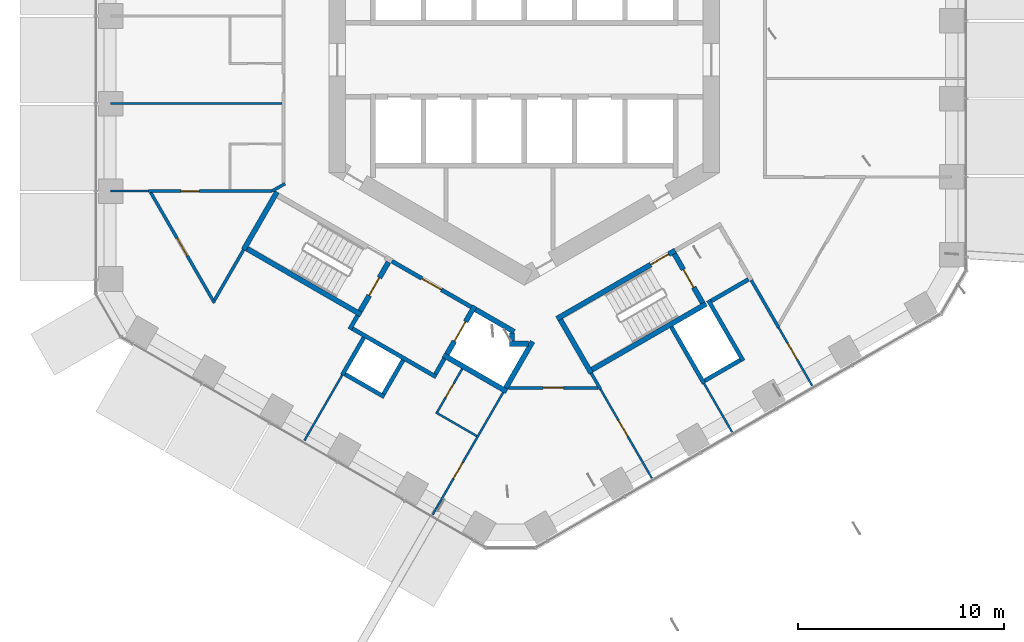
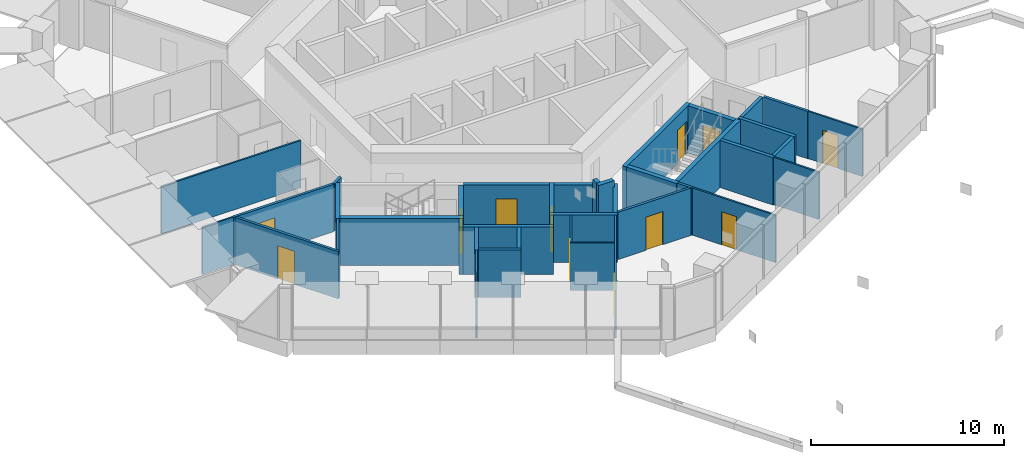
# One storey, part 12 of 22: 40 walls, 12 doors, 12 openings.
"""IFC4 building model written with IfcOpenShell, lengths in metres."""

from ifc_helpers import new_model, si_unit, direction, frame, frame_2d, origin, place, context, subcontext, project, spatial, rectangle, extrude, material, layer, layer_set, type_object, element, fill, save


model = new_model("IFC4")

# Units and contexts
model_context = context("Model", 3, precision=1e-05, world=origin(), true_north=direction((0.0, 1.0)))
body_context = subcontext(model_context, "Body", "Model", "MODEL_VIEW")
ifc_project = project(units=[si_unit("LENGTHUNIT", "METRE"), si_unit("AREAUNIT", "SQUARE_METRE"), si_unit("VOLUMEUNIT", "CUBIC_METRE"), si_unit("PLANEANGLEUNIT", "RADIAN"), si_unit("MASSUNIT", "GRAM", prefix="KILO")], contexts=[model_context])

# Site, building, storey
site_placement = place(None, origin())
site = spatial("IfcSite", under=ifc_project, at=site_placement, CompositionType="ELEMENT")
building_placement = place(site_placement, origin())
building = spatial("IfcBuilding", under=site, at=building_placement, Name="Ayvan Gate Tower", CompositionType="ELEMENT")
storey_placement = place(building_placement, frame((0.0, 0.0, 62.89990234375)))
storey = spatial("IfcBuildingStorey", under=building, at=storey_placement, Name="L16", CompositionType="ELEMENT", Elevation=62.89990234375)

# Wall, opening, door
ifc_material_1 = material(Name="Plasterboard on steel stud", Category="steel")
ifc_layer_1 = layer(ifc_material_1, 0.14990234375)
ifc_layer_set_1 = layer_set([ifc_layer_1], Name="Plasterboard on steel stud")
wall_type_1 = type_object("IfcWallType", Name="WT-CORR-150", PredefinedType="PARTITIONING", material=ifc_layer_set_1)
wall_1_placement = place(storey_placement, frame((-18.279541015625, -6.386962890625, 0.0), z_axis=(0.0, 0.0, 1.0), x_axis=(1.0, 0.0, 0.0)))
wall_1 = element("IfcWall", 1, at=wall_1_placement, inside=storey, type_object=wall_type_1, Name="IW-L16-001", PredefinedType="PARTITIONING", context=body_context, shape_type="SweptSolid", body=[
    extrude(rectangle(XDim=6.020751953125, YDim=0.14990234375, at=frame_2d((3.01025390625, 0.0))), origin(), (0.0, 0.0, 1.0), 3.0),
])
opening_1_placement = place(wall_1_placement, frame((1.57958984375, 0.0, 0.0)))
opening_1 = element("IfcOpeningElement", 2, at=opening_1_placement, cuts=wall_1, Name="Opening L16-D28", PredefinedType="OPENING", context=body_context, shape_type="SweptSolid", body=[
    extrude(rectangle(XDim=0.89990234375, YDim=2.10009765625, at=frame_2d((0.449951171875, 1.050048828125))), frame((0.0, 0.0849609375, 0.0), z_axis=(0.0, -1.0, 0.0), x_axis=(1.0, 0.0, 0.0)), (0.0, 0.0, 1.0), 0.169921875),
])
ifc_material_2 = material(Name="Timber door leaf", Category="wood")
door_type_1 = type_object("IfcDoorType", Name="DT-900", OperationType="NOTDEFINED", PredefinedType="DOOR", material=ifc_material_2)
door_1_placement = place(opening_1_placement, origin())
door_1 = element("IfcDoor", 3, at=door_1_placement, inside=storey, type_object=door_type_1, Name="ID-L16-028", OperationType="SINGLE_SWING_RIGHT", OverallHeight=2.10009765625, OverallWidth=0.89990234375, PredefinedType="DOOR", context=body_context, shape_type="SweptSolid", body=[
    extrude(rectangle(XDim=0.89990234375, YDim=2.10009765625, at=frame_2d((0.449951171875, 1.050048828125))), frame((0.0, 0.02490234375, 0.0), z_axis=(0.0, -1.0, 0.0), x_axis=(1.0, 0.0, 0.0)), (0.0, 0.0, 1.0), 0.050048828125),
])
fill(opening_1, door_1)

wall_2_placement = place(storey_placement, frame((-15.0654296875, -11.823974609375, 0.0), z_axis=(0.0, 0.0, 1.0), x_axis=(-0.499999547685, 0.866025664929, 0.0)))
wall_2 = element("IfcWall", 4, at=wall_2_placement, inside=storey, type_object=wall_type_1, Name="IW-L16-005", PredefinedType="PARTITIONING", context=body_context, shape_type="SweptSolid", body=[
    extrude(rectangle(XDim=6.203125, YDim=0.14990234375, at=frame_2d((3.1015625, 0.0))), origin(), (0.0, 0.0, 1.0), 3.0),
])
opening_2_placement = place(wall_2_placement, frame((2.63916015625, 0.0, 0.0)))
opening_2 = element("IfcOpeningElement", 5, at=opening_2_placement, cuts=wall_2, Name="Opening L16-D30", PredefinedType="OPENING", context=body_context, shape_type="SweptSolid", body=[
    extrude(rectangle(XDim=1.0, YDim=2.10009765625, at=frame_2d((0.5, 1.050048828125))), frame((0.0, 0.0849609375, 0.0), z_axis=(0.0, -1.0, 0.0), x_axis=(1.0, 0.0, 0.0)), (0.0, 0.0, 1.0), 0.169921875),
])
door_type_2 = type_object("IfcDoorType", Name="DT-1000", OperationType="NOTDEFINED", PredefinedType="DOOR", material=ifc_material_2)
door_2_placement = place(opening_2_placement, origin())
door_2 = element("IfcDoor", 6, at=door_2_placement, inside=storey, type_object=door_type_2, Name="ID-L16-030", OperationType="SINGLE_SWING_RIGHT", OverallHeight=2.10009765625, OverallWidth=1.0, PredefinedType="DOOR", context=body_context, shape_type="SweptSolid", body=[
    extrude(rectangle(XDim=1.0, YDim=2.10009765625, at=frame_2d((0.5, 1.050048828125))), frame((0.0, 0.02490234375, 0.0), z_axis=(0.0, -1.0, 0.0), x_axis=(1.0, 0.0, 0.0)), (0.0, 0.0, 1.0), 0.050048828125),
])
fill(opening_2, door_2)

# Walls
wall_3_placement = place(storey_placement, frame((-13.647705078125, -9.23876953125, 0.0), z_axis=(0.0, 0.0, 1.0), x_axis=(-0.500037995954, -0.866003465699, 0.0)))
element("IfcWall", 7, at=wall_3_placement, inside=storey, type_object=wall_type_1, Name="IW-L16-012", PredefinedType="PARTITIONING", context=body_context, shape_type="SweptSolid", body=[
    extrude(rectangle(XDim=2.835205078125, YDim=0.14990234375, at=frame_2d((1.41748046875, 0.0))), origin(), (0.0, 0.0, 1.0), 3.0),
])
wall_4_placement = place(storey_placement, frame((-12.259765625, -6.385498046875, 0.0), z_axis=(0.0, 0.0, 1.0), x_axis=(0.865943239699, 0.500142285375, 0.0)))
element("IfcWall", 8, at=wall_4_placement, inside=storey, type_object=wall_type_1, Name="IW-L16-013", PredefinedType="PARTITIONING", context=body_context, shape_type="SweptSolid", body=[
    extrude(rectangle(XDim=0.721435546875, YDim=0.14990234375, at=frame_2d((0.36083984375, 0.0))), origin(), (0.0, 0.0, 1.0), 3.0),
])
wall_5_placement = place(storey_placement, frame((3.255615234375, -15.23876953125, 0.0), z_axis=(0.0, 0.0, 1.0), x_axis=(0.500048779063, -0.865997239347, 0.0)))
element("IfcWall", 9, at=wall_5_placement, inside=storey, type_object=wall_type_1, Name="IW-L16-077", PredefinedType="PARTITIONING", context=body_context, shape_type="SweptSolid", body=[
    extrude(rectangle(XDim=0.90673828125, YDim=0.14990234375, at=frame_2d((0.453369140625, 0.0))), origin(), (0.0, 0.0, 1.0), 3.0),
])

# Wall, opening, door
wall_6_placement = place(storey_placement, frame((3.596435546875, -15.958984375, 0.0), z_axis=(0.0, 0.0, 1.0), x_axis=(-1.0, 0.0, 0.0)))
wall_6 = element("IfcWall", 10, at=wall_6_placement, inside=storey, type_object=wall_type_1, Name="IW-L16-079", PredefinedType="PARTITIONING", context=body_context, shape_type="SweptSolid", body=[
    extrude(rectangle(XDim=4.37158203125, YDim=0.14990234375, at=frame_2d((2.185791015625, 0.0))), origin(), (0.0, 0.0, 1.0), 3.0),
])
opening_3_placement = place(wall_6_placement, frame((1.685791015625, 0.0, 0.0)))
opening_3 = element("IfcOpeningElement", 11, at=opening_3_placement, cuts=wall_6, Name="Opening L16-D31", PredefinedType="OPENING", context=body_context, shape_type="SweptSolid", body=[
    extrude(rectangle(XDim=1.0, YDim=2.10009765625, at=frame_2d((0.5, 1.050048828125))), frame((0.0, 0.0849609375, 0.0), z_axis=(0.0, -1.0, 0.0), x_axis=(1.0, 0.0, 0.0)), (0.0, 0.0, 1.0), 0.169921875),
])
door_3_placement = place(opening_3_placement, origin())
door_3 = element("IfcDoor", 12, at=door_3_placement, inside=storey, type_object=door_type_2, Name="ID-L16-031", OperationType="SINGLE_SWING_LEFT", OverallHeight=2.10009765625, OverallWidth=1.0, PredefinedType="DOOR", context=body_context, shape_type="SweptSolid", body=[
    extrude(rectangle(XDim=1.0, YDim=2.10009765625, at=frame_2d((0.5, 1.050048828125))), frame((0.0, 0.02490234375, 0.0), z_axis=(0.0, -1.0, 0.0), x_axis=(1.0, 0.0, 0.0)), (0.0, 0.0, 1.0), 0.050048828125),
])
fill(opening_3, door_3)

# Walls
wall_7_placement = place(storey_placement, frame((12.369140625, -13.02392578125, 0.0), z_axis=(0.0, 0.0, 1.0), x_axis=(-0.499973693163, 0.866040591511, 0.0)))
element("IfcWall", 13, at=wall_7_placement, inside=storey, type_object=wall_type_1, Name="IW-L16-115", PredefinedType="PARTITIONING", context=body_context, shape_type="SweptSolid", body=[
    extrude(rectangle(XDim=2.663818359375, YDim=0.14990234375, at=frame_2d((1.33203125, 0.0))), origin(), (0.0, 0.0, 1.0), 3.0),
])
ifc_layer_2 = layer(ifc_material_1, 0.10009765625)
ifc_layer_set_2 = layer_set([ifc_layer_2], Name="Plasterboard on steel stud")
wall_type_2 = type_object("IfcWallType", Name="WT-PART-100", PredefinedType="PARTITIONING", material=ifc_layer_set_2)
wall_8_placement = place(storey_placement, frame((-18.279541015625, -6.386962890625, 0.0), z_axis=(0.0, 0.0, 1.0), x_axis=(-1.0, 0.0, 0.0)))
element("IfcWall", 14, at=wall_8_placement, inside=storey, type_object=wall_type_2, Name="IW-L16-000", PredefinedType="PARTITIONING", context=body_context, shape_type="SweptSolid", body=[
    extrude(rectangle(XDim=1.852294921875, YDim=0.10009765625, at=frame_2d((0.92626953125, 0.0))), origin(), (0.0, 0.0, 1.0), 3.0),
])
wall_9_placement = place(storey_placement, frame((-11.77490234375, -2.12890625, 0.0), z_axis=(0.0, 0.0, 1.0), x_axis=(-1.0, 0.0, 0.0)))
element("IfcWall", 15, at=wall_9_placement, inside=storey, type_object=wall_type_2, Name="IW-L16-017", PredefinedType="PARTITIONING", context=body_context, shape_type="SweptSolid", body=[
    extrude(rectangle(XDim=8.35693359375, YDim=0.10009765625, at=frame_2d((4.178466796875, 0.0))), origin(), (0.0, 0.0, 1.0), 3.0),
])
wall_10_placement = place(storey_placement, frame((-10.690185546875, -18.51611328125, 0.0), z_axis=(0.0, 0.0, 1.0), x_axis=(0.499955964762, 0.866050826049, 0.0)))
element("IfcWall", 16, at=wall_10_placement, inside=storey, type_object=wall_type_2, Name="IW-L16-025", PredefinedType="PARTITIONING", context=body_context, shape_type="SweptSolid", body=[
    extrude(rectangle(XDim=3.680419921875, YDim=0.10009765625, at=frame_2d((1.84033203125, 0.0))), origin(), (0.0, 0.0, 1.0), 3.0),
])
wall_11_placement = place(storey_placement, frame((-4.2998046875, -17.1474609375, 0.0), z_axis=(0.0, 0.0, 1.0), x_axis=(0.866053019151, -0.499952165731, 0.0)))
element("IfcWall", 17, at=wall_11_placement, inside=storey, type_object=wall_type_2, Name="IW-L16-041", PredefinedType="PARTITIONING", context=body_context, shape_type="SweptSolid", body=[
    extrude(rectangle(XDim=2.300048828125, YDim=0.10009765625, at=frame_2d((1.14990234375, 0.0))), origin(), (0.0, 0.0, 1.0), 3.0),
])

# Wall, opening, door
wall_12_placement = place(storey_placement, frame((-4.454833984375, -22.1162109375, 0.0), z_axis=(0.0, 0.0, 1.0), x_axis=(0.499984476993, 0.866034365811, 0.0)))
wall_12 = element("IfcWall", 18, at=wall_12_placement, inside=storey, type_object=wall_type_2, Name="IW-L16-042", PredefinedType="PARTITIONING", context=body_context, shape_type="SweptSolid", body=[
    extrude(rectangle(XDim=6.855712890625, YDim=0.10009765625, at=frame_2d((3.427734375, 0.0))), origin(), (0.0, 0.0, 1.0), 3.0),
])
opening_4_placement = place(wall_12_placement, frame((2.023193359375, 0.0, 0.0)))
opening_4 = element("IfcOpeningElement", 19, at=opening_4_placement, cuts=wall_12, Name="Opening L16-D32", PredefinedType="OPENING", context=body_context, shape_type="SweptSolid", body=[
    extrude(rectangle(XDim=0.89990234375, YDim=2.10009765625, at=frame_2d((0.449951171875, 1.050048828125))), frame((0.0, 0.06005859375, 0.0), z_axis=(0.0, -1.0, 0.0), x_axis=(1.0, 0.0, 0.0)), (0.0, 0.0, 1.0), 0.1201171875),
])
door_4_placement = place(opening_4_placement, origin())
door_4 = element("IfcDoor", 20, at=door_4_placement, inside=storey, type_object=door_type_1, Name="ID-L16-032", OperationType="SINGLE_SWING_RIGHT", OverallHeight=2.10009765625, OverallWidth=0.89990234375, PredefinedType="DOOR", context=body_context, shape_type="SweptSolid", body=[
    extrude(rectangle(XDim=0.89990234375, YDim=2.10009765625, at=frame_2d((0.449951171875, 1.050048828125))), frame((0.0, 0.02490234375, 0.0), z_axis=(0.0, -1.0, 0.0), x_axis=(1.0, 0.0, 0.0)), (0.0, 0.0, 1.0), 0.050048828125),
])
fill(opening_4, door_4)

wall_13_placement = place(storey_placement, frame((-3.01904296875, -15.029052734375, 0.0), z_axis=(0.0, 0.0, 1.0), x_axis=(-0.499972286653, -0.866041403502, 0.0)))
wall_13 = element("IfcWall", 21, at=wall_13_placement, inside=storey, type_object=wall_type_2, Name="IW-L16-049", PredefinedType="PARTITIONING", context=body_context, shape_type="SweptSolid", body=[
    extrude(rectangle(XDim=2.425048828125, YDim=0.10009765625, at=frame_2d((1.21240234375, 0.0))), origin(), (0.0, 0.0, 1.0), 3.0),
])
opening_5_placement = place(wall_13_placement, frame((0.8125, 0.0, 0.0)))
opening_5 = element("IfcOpeningElement", 22, at=opening_5_placement, cuts=wall_13, Name="Opening L16-D33", PredefinedType="OPENING", context=body_context, shape_type="SweptSolid", body=[
    extrude(rectangle(XDim=0.800048828125, YDim=2.10009765625, at=frame_2d((0.39990234375, 1.050048828125))), frame((0.0, 0.06005859375, 0.0), z_axis=(0.0, -1.0, 0.0), x_axis=(1.0, 0.0, 0.0)), (0.0, 0.0, 1.0), 0.1201171875),
])
door_type_3 = type_object("IfcDoorType", Name="DT-800", OperationType="NOTDEFINED", PredefinedType="DOOR", material=ifc_material_2)
door_5_placement = place(opening_5_placement, origin())
door_5 = element("IfcDoor", 23, at=door_5_placement, inside=storey, type_object=door_type_3, Name="ID-L16-033", OperationType="SINGLE_SWING_LEFT", OverallHeight=2.10009765625, OverallWidth=0.800048828125, PredefinedType="DOOR", context=body_context, shape_type="SweptSolid", body=[
    extrude(rectangle(XDim=0.800048828125, YDim=2.10009765625, at=frame_2d((0.39990234375, 1.050048828125))), frame((0.0, 0.02490234375, 0.0), z_axis=(0.0, -1.0, 0.0), x_axis=(1.0, 0.0, 0.0)), (0.0, 0.0, 1.0), 0.050048828125),
])
fill(opening_5, door_5)

wall_14_placement = place(storey_placement, frame((3.708984375, -16.02392578125, 0.0), z_axis=(0.0, 0.0, 1.0), x_axis=(0.499986116641, -0.866033419197, 0.0)))
wall_14 = element("IfcWall", 24, at=wall_14_placement, inside=storey, type_object=wall_type_2, Name="IW-L16-080", PredefinedType="PARTITIONING", context=body_context, shape_type="SweptSolid", body=[
    extrude(rectangle(XDim=4.996337890625, YDim=0.10009765625, at=frame_2d((2.498046875, 0.0))), origin(), (0.0, 0.0, 1.0), 3.0),
])
opening_6_placement = place(wall_14_placement, frame((1.75, 0.0, 0.0)))
opening_6 = element("IfcOpeningElement", 25, at=opening_6_placement, cuts=wall_14, Name="Opening L16-D34", PredefinedType="OPENING", context=body_context, shape_type="SweptSolid", body=[
    extrude(rectangle(XDim=0.89990234375, YDim=2.10009765625, at=frame_2d((0.449951171875, 1.050048828125))), frame((0.0, 0.06005859375, 0.0), z_axis=(0.0, -1.0, 0.0), x_axis=(1.0, 0.0, 0.0)), (0.0, 0.0, 1.0), 0.1201171875),
])
door_6_placement = place(opening_6_placement, origin())
door_6 = element("IfcDoor", 26, at=door_6_placement, inside=storey, type_object=door_type_1, Name="ID-L16-034", OperationType="SINGLE_SWING_RIGHT", OverallHeight=2.10009765625, OverallWidth=0.89990234375, PredefinedType="DOOR", context=body_context, shape_type="SweptSolid", body=[
    extrude(rectangle(XDim=0.89990234375, YDim=2.10009765625, at=frame_2d((0.449951171875, 1.050048828125))), frame((0.0, 0.02490234375, 0.0), z_axis=(0.0, -1.0, 0.0), x_axis=(1.0, 0.0, 0.0)), (0.0, 0.0, 1.0), 0.050048828125),
])
fill(opening_6, door_6)

# Wall
wall_15_placement = place(storey_placement, frame((8.739990234375, -15.73828125, 0.0), z_axis=(0.0, 0.0, 1.0), x_axis=(0.499998754593, -0.86602612282, 0.0)))
element("IfcWall", 27, at=wall_15_placement, inside=storey, type_object=wall_type_2, Name="IW-L16-101", PredefinedType="PARTITIONING", context=body_context, shape_type="SweptSolid", body=[
    extrude(rectangle(XDim=2.72802734375, YDim=0.10009765625, at=frame_2d((1.364013671875, 0.0))), origin(), (0.0, 0.0, 1.0), 3.0),
])

# Wall, opening, door
wall_16_placement = place(storey_placement, frame((14.001220703125, -15.850830078125, 0.0), z_axis=(0.0, 0.0, 1.0), x_axis=(-0.499992215867, 0.866029897909, 0.0)))
wall_16 = element("IfcWall", 28, at=wall_16_placement, inside=storey, type_object=wall_type_2, Name="IW-L16-118", PredefinedType="PARTITIONING", context=body_context, shape_type="SweptSolid", body=[
    extrude(rectangle(XDim=3.26416015625, YDim=0.10009765625, at=frame_2d((1.632080078125, 0.0))), origin(), (0.0, 0.0, 1.0), 3.0),
])
opening_7_placement = place(wall_16_placement, frame((1.47998046875, 0.0, 0.0)))
opening_7 = element("IfcOpeningElement", 29, at=opening_7_placement, cuts=wall_16, Name="Opening L16-D36", PredefinedType="OPENING", context=body_context, shape_type="SweptSolid", body=[
    extrude(rectangle(XDim=0.89990234375, YDim=2.10009765625, at=frame_2d((0.449951171875, 1.050048828125))), frame((0.0, 0.06005859375, 0.0), z_axis=(0.0, -1.0, 0.0), x_axis=(1.0, 0.0, 0.0)), (0.0, 0.0, 1.0), 0.1201171875),
])
door_7_placement = place(opening_7_placement, origin())
door_7 = element("IfcDoor", 30, at=door_7_placement, inside=storey, type_object=door_type_1, Name="ID-L16-036", OperationType="SINGLE_SWING_RIGHT", OverallHeight=2.10009765625, OverallWidth=0.89990234375, PredefinedType="DOOR", context=body_context, shape_type="SweptSolid", body=[
    extrude(rectangle(XDim=0.89990234375, YDim=2.10009765625, at=frame_2d((0.449951171875, 1.050048828125))), frame((0.0, 0.02490234375, 0.0), z_axis=(0.0, -1.0, 0.0), x_axis=(1.0, 0.0, 0.0)), (0.0, 0.0, 1.0), 0.050048828125),
])
fill(opening_7, door_7)

# Walls
ifc_layer_3 = layer(ifc_material_1, 0.199951171875)
ifc_layer_set_3 = layer_set([ifc_layer_3], Name="Plasterboard on steel stud")
wall_type_3 = type_object("IfcWallType", Name="WT-PLUMB-200", PredefinedType="PLUMBINGWALL", material=ifc_layer_set_3)
wall_17_placement = place(storey_placement, frame((-8.85009765625, -15.32861328125, 0.0), z_axis=(0.0, 0.0, 1.0), x_axis=(0.500027713859, 0.866009402589, 0.0)))
element("IfcWall", 31, at=wall_17_placement, inside=storey, type_object=wall_type_3, Name="IW-L16-021", PredefinedType="PLUMBINGWALL", context=body_context, shape_type="SweptSolid", body=[
    extrude(rectangle(XDim=2.10009765625, YDim=0.199951171875, at=frame_2d((1.050048828125, 0.0))), origin(), (0.0, 0.0, 1.0), 3.0),
])
wall_18_placement = place(storey_placement, frame((-6.80810546875, -16.39208984375, 0.0), z_axis=(0.0, 0.0, 1.0), x_axis=(-0.866008176907, 0.50002983664, 0.0)))
element("IfcWall", 32, at=wall_18_placement, inside=storey, type_object=wall_type_3, Name="IW-L16-032", PredefinedType="PLUMBINGWALL", context=body_context, shape_type="SweptSolid", body=[
    extrude(rectangle(XDim=2.199951171875, YDim=0.199951171875, at=frame_2d((1.10009765625, 0.0))), origin(), (0.0, 0.0, 1.0), 3.0),
])
wall_19_placement = place(storey_placement, frame((-5.894775390625, -14.610107421875, 0.0), z_axis=(0.0, 0.0, 1.0), x_axis=(-0.500022797313, -0.86601224135, 0.0)))
element("IfcWall", 33, at=wall_19_placement, inside=storey, type_object=wall_type_3, Name="IW-L16-035", PredefinedType="PLUMBINGWALL", context=body_context, shape_type="SweptSolid", body=[
    extrude(rectangle(XDim=1.89990234375, YDim=0.199951171875, at=frame_2d((0.949951171875, 0.0))), origin(), (0.0, 0.0, 1.0), 3.0),
])
wall_20_placement = place(storey_placement, frame((8.740234375, -15.738525390625, 0.0), z_axis=(0.0, 0.0, 1.0), x_axis=(-0.500017526161, 0.866015284814, 0.0)))
element("IfcWall", 34, at=wall_20_placement, inside=storey, type_object=wall_type_3, Name="IW-L16-102", PredefinedType="PLUMBINGWALL", context=body_context, shape_type="SweptSolid", body=[
    extrude(rectangle(XDim=3.17529296875, YDim=0.199951171875, at=frame_2d((1.587646484375, 0.0))), origin(), (0.0, 0.0, 1.0), 3.0),
])
wall_21_placement = place(storey_placement, frame((8.9453125, -11.694091796875, 0.0), z_axis=(0.0, 0.0, 1.0), x_axis=(0.500062241894, -0.865989465428, 0.0)))
element("IfcWall", 35, at=wall_21_placement, inside=storey, type_object=wall_type_3, Name="IW-L16-106", PredefinedType="PLUMBINGWALL", context=body_context, shape_type="SweptSolid", body=[
    extrude(rectangle(XDim=3.39990234375, YDim=0.199951171875, at=frame_2d((1.699951171875, 0.0))), origin(), (0.0, 0.0, 1.0), 3.0),
])
wall_22_placement = place(storey_placement, frame((10.5087890625, -14.601806640625, 0.0), z_axis=(0.0, 0.0, 1.0), x_axis=(-0.866010750942, -0.50002537861, 0.0)))
element("IfcWall", 36, at=wall_22_placement, inside=storey, type_object=wall_type_3, Name="IW-L16-109", PredefinedType="PLUMBINGWALL", context=body_context, shape_type="SweptSolid", body=[
    extrude(rectangle(XDim=2.0, YDim=0.199951171875, at=frame_2d((1.0, 0.0))), origin(), (0.0, 0.0, 1.0), 3.0),
])
ifc_layer_4 = layer(ifc_material_1, 0.199951171875)
ifc_layer_set_4 = layer_set([ifc_layer_4], Name="Plasterboard on steel stud")
wall_type_4 = type_object("IfcWallType", Name="WT-RATED-200", PredefinedType="PARTITIONING", material=ifc_layer_set_4)
wall_23_placement = place(storey_placement, frame((-8.492919921875, -13.110107421875, 0.0), z_axis=(0.0, 0.0, 1.0), x_axis=(0.500067724834, 0.865986299303, 0.0)))
element("IfcWall", 37, at=wall_23_placement, inside=storey, type_object=wall_type_4, Name="IW-L16-023", PredefinedType="PARTITIONING", context=body_context, shape_type="SweptSolid", body=[
    extrude(rectangle(XDim=0.775390625, YDim=0.199951171875, at=frame_2d((0.3876953125, 0.0))), origin(), (0.0, 0.0, 1.0), 3.0),
])
wall_24_placement = place(storey_placement, frame((-8.356201171875, -13.073486328125, 0.0), z_axis=(0.0, 0.0, 1.0), x_axis=(0.866038532462, -0.499977259774, 0.0)))
element("IfcWall", 38, at=wall_24_placement, inside=storey, type_object=wall_type_4, Name="IW-L16-026", PredefinedType="PARTITIONING", context=body_context, shape_type="SweptSolid", body=[
    extrude(rectangle(XDim=4.699951171875, YDim=0.199951171875, at=frame_2d((2.35009765625, 0.0))), origin(), (0.0, 0.0, 1.0), 3.0),
])

# Wall, opening, door
wall_25_placement = place(storey_placement, frame((-6.4345703125, -9.794921875, 0.0), z_axis=(0.0, 0.0, 1.0), x_axis=(0.866012907634, -0.500021643343, 0.0)))
wall_25 = element("IfcWall", 39, at=wall_25_placement, inside=storey, type_object=wall_type_4, Name="IW-L16-034", PredefinedType="PARTITIONING", context=body_context, shape_type="SweptSolid", body=[
    extrude(rectangle(XDim=4.449951171875, YDim=0.199951171875, at=frame_2d((2.22509765625, 0.0))), origin(), (0.0, 0.0, 1.0), 3.0),
])
opening_8_placement = place(wall_25_placement, frame((1.675048828125, 0.0, 0.0)))
opening_8 = element("IfcOpeningElement", 40, at=opening_8_placement, cuts=wall_25, Name="Opening L16-D12", PredefinedType="OPENING", context=body_context, shape_type="SweptSolid", body=[
    extrude(rectangle(XDim=1.10009765625, YDim=2.10009765625, at=frame_2d((0.550048828125, 1.050048828125))), frame((0.0, 0.10986328125, 0.0), z_axis=(0.0, -1.0, 0.0), x_axis=(1.0, 0.0, 0.0)), (0.0, 0.0, 1.0), 0.219970703125),
])
door_type_4 = type_object("IfcDoorType", Name="DT-1100", OperationType="NOTDEFINED", PredefinedType="DOOR", material=ifc_material_2)
door_8_placement = place(opening_8_placement, origin())
door_8 = element("IfcDoor", 41, at=door_8_placement, inside=storey, type_object=door_type_4, Name="ID-L16-012", OperationType="SINGLE_SWING_RIGHT", OverallHeight=2.10009765625, OverallWidth=1.10009765625, PredefinedType="DOOR", context=body_context, shape_type="SweptSolid", body=[
    extrude(rectangle(XDim=1.10009765625, YDim=2.10009765625, at=frame_2d((0.550048828125, 1.050048828125))), frame((0.0, 0.02490234375, 0.0), z_axis=(0.0, -1.0, 0.0), x_axis=(1.0, 0.0, 0.0)), (0.0, 0.0, 1.0), 0.050048828125),
])
fill(opening_8, door_8)

# Walls
wall_26_placement = place(storey_placement, frame((-3.885009765625, -14.52880859375, 0.0), z_axis=(0.0, 0.0, 1.0), x_axis=(-0.499859285417, -0.866106630146, 0.0)))
element("IfcWall", 42, at=wall_26_placement, inside=storey, type_object=wall_type_4, Name="IW-L16-043", PredefinedType="PARTITIONING", context=body_context, shape_type="SweptSolid", body=[
    extrude(rectangle(XDim=0.875244140625, YDim=0.199951171875, at=frame_2d((0.4375, 0.0))), origin(), (0.0, 0.0, 1.0), 3.0),
])
wall_27_placement = place(storey_placement, frame((10.900634765625, -10.6806640625, 0.0), z_axis=(0.0, 0.0, 1.0), x_axis=(-0.866009402589, -0.500027713859, 0.0)))
element("IfcWall", 43, at=wall_27_placement, inside=storey, type_object=wall_type_4, Name="IW-L16-110", PredefinedType="PARTITIONING", context=body_context, shape_type="SweptSolid", body=[
    extrude(rectangle(XDim=2.10009765625, YDim=0.199951171875, at=frame_2d((1.050048828125, 0.0))), origin(), (0.0, 0.0, 1.0), 3.0),
])
ifc_material_3 = material(Name="Concrete C50/60", Category="concrete")
ifc_layer_5 = layer(ifc_material_3, 0.25)
ifc_layer_set_5 = layer_set([ifc_layer_5], Name="Concrete C50/60")
wall_type_5 = type_object("IfcWallType", Name="WT-RC-250", PredefinedType="SHEAR", material=ifc_layer_set_5)
wall_28_placement = place(storey_placement, frame((-13.64794921875, -9.23876953125, 0.0), z_axis=(0.0, 0.0, 1.0), x_axis=(0.500017246033, 0.866015446554, 0.0)))
element("IfcWall", 44, at=wall_28_placement, inside=storey, type_object=wall_type_5, Name="IW-L16-011", PredefinedType="SHEAR", context=body_context, shape_type="SweptSolid", body=[
    extrude(rectangle(XDim=3.25, YDim=0.25, at=frame_2d((1.625, 0.0))), origin(), (0.0, 0.0, 1.0), 3.0),
])
wall_29_placement = place(storey_placement, frame((-7.9345703125, -12.39306640625, 0.0), z_axis=(0.0, 0.0, 1.0), x_axis=(-0.866025499775, 0.499999833739, 0.0)))
element("IfcWall", 45, at=wall_29_placement, inside=storey, type_object=wall_type_5, Name="IW-L16-024", PredefinedType="SHEAR", context=body_context, shape_type="SweptSolid", body=[
    extrude(rectangle(XDim=6.39990234375, YDim=0.25, at=frame_2d((3.199951171875, 0.0))), origin(), (0.0, 0.0, 1.0), 3.0),
])

# Wall, opening, door
wall_30_placement = place(storey_placement, frame((-6.605224609375, -9.8408203125, 0.0), z_axis=(0.0, 0.0, 1.0), x_axis=(-0.499996545922, -0.866027397988, 0.0)))
wall_30 = element("IfcWall", 46, at=wall_30_placement, inside=storey, type_object=wall_type_5, Name="IW-L16-033", PredefinedType="SHEAR", context=body_context, shape_type="SweptSolid", body=[
    extrude(rectangle(XDim=2.75, YDim=0.25, at=frame_2d((1.375, 0.0))), origin(), (0.0, 0.0, 1.0), 3.0),
])
opening_9_placement = place(wall_30_placement, frame((0.875, 0.0, 0.0)))
opening_9 = element("IfcOpeningElement", 47, at=opening_9_placement, cuts=wall_30, Name="Opening L16-D11", PredefinedType="OPENING", context=body_context, shape_type="SweptSolid", body=[
    extrude(rectangle(XDim=1.0, YDim=2.10009765625, at=frame_2d((0.5, 1.050048828125))), frame((0.0, 0.135009765625, 0.0), z_axis=(0.0, -1.0, 0.0), x_axis=(1.0, 0.0, 0.0)), (0.0, 0.0, 1.0), 0.27001953125),
])
door_9_placement = place(opening_9_placement, origin())
door_9 = element("IfcDoor", 48, at=door_9_placement, inside=storey, type_object=door_type_2, Name="ID-L16-011", OperationType="SINGLE_SWING_LEFT", OverallHeight=2.10009765625, OverallWidth=1.0, PredefinedType="DOOR", context=body_context, shape_type="SweptSolid", body=[
    extrude(rectangle(XDim=1.0, YDim=2.10009765625, at=frame_2d((0.5, 1.050048828125))), frame((0.0, 0.02490234375, 0.0), z_axis=(0.0, -1.0, 0.0), x_axis=(1.0, 0.0, 0.0)), (0.0, 0.0, 1.0), 0.050048828125),
])
fill(opening_9, door_9)

# Wall
wall_31_placement = place(storey_placement, frame((-3.930908203125, -14.3583984375, 0.0), z_axis=(0.0, 0.0, 1.0), x_axis=(0.8660424351, -0.499970499736, 0.0)))
element("IfcWall", 49, at=wall_31_placement, inside=storey, type_object=wall_type_5, Name="IW-L16-050", PredefinedType="SHEAR", context=body_context, shape_type="SweptSolid", body=[
    extrude(rectangle(XDim=3.550048828125, YDim=0.25, at=frame_2d((1.77490234375, 0.0))), origin(), (0.0, 0.0, 1.0), 3.0),
])

# Wall, opening, door
wall_32_placement = place(storey_placement, frame((-2.409912109375, -11.97412109375, 0.0), z_axis=(0.0, 0.0, 1.0), x_axis=(-0.50000943426, -0.866019956843, 0.0)))
wall_32 = element("IfcWall", 50, at=wall_32_placement, inside=storey, type_object=wall_type_5, Name="IW-L16-052", PredefinedType="SHEAR", context=body_context, shape_type="SweptSolid", body=[
    extrude(rectangle(XDim=2.7001953125, YDim=0.25, at=frame_2d((1.35009765625, 0.0))), origin(), (0.0, 0.0, 1.0), 3.0),
])
opening_10_placement = place(wall_32_placement, frame((0.87744140625, 0.0, 0.0)))
opening_10 = element("IfcOpeningElement", 51, at=opening_10_placement, cuts=wall_32, Name="Opening L16-LD-FF2", PredefinedType="OPENING", context=body_context, shape_type="SweptSolid", body=[
    extrude(rectangle(XDim=1.10009765625, YDim=2.10009765625, at=frame_2d((0.550048828125, 1.050048828125))), frame((0.0, 0.135009765625, 0.0), z_axis=(0.0, -1.0, 0.0), x_axis=(1.0, 0.0, 0.0)), (0.0, 0.0, 1.0), 0.27001953125),
])
ifc_material_4 = material(Name="Stainless steel landing door", Category="steel")
door_type_5 = type_object("IfcDoorType", Name="DT-LANDING-1100", OperationType="SLIDING_TO_LEFT", PredefinedType="DOOR", material=ifc_material_4)
door_10_placement = place(opening_10_placement, origin())
door_10 = element("IfcDoor", 52, at=door_10_placement, inside=storey, type_object=door_type_5, Name="ID-L16-013", OperationType="SLIDING_TO_LEFT", OverallHeight=2.10009765625, OverallWidth=1.10009765625, PredefinedType="DOOR", context=body_context, shape_type="SweptSolid", body=[
    extrude(rectangle(XDim=1.10009765625, YDim=2.10009765625, at=frame_2d((0.550048828125, 1.050048828125))), frame((0.0, 0.02490234375, 0.0), z_axis=(0.0, -1.0, 0.0), x_axis=(1.0, 0.0, 0.0)), (0.0, 0.0, 1.0), 0.050048828125),
])
fill(opening_10, door_10)

# Walls
wall_33_placement = place(storey_placement, frame((-2.3642578125, -12.14501953125, 0.0), z_axis=(0.0, 0.0, 1.0), x_axis=(0.86603892542, -0.499976579108, 0.0)))
element("IfcWall", 53, at=wall_33_placement, inside=storey, type_object=wall_type_5, Name="IW-L16-053", PredefinedType="SHEAR", context=body_context, shape_type="SweptSolid", body=[
    extrude(rectangle(XDim=2.162109375, YDim=0.25, at=frame_2d((1.0810546875, 0.0))), origin(), (0.0, 0.0, 1.0), 3.0),
])
wall_34_placement = place(storey_placement, frame((-0.902099609375, -15.96240234375, 0.0), z_axis=(0.0, 0.0, 1.0), x_axis=(0.499981517636, 0.866036074319, 0.0)))
element("IfcWall", 54, at=wall_34_placement, inside=storey, type_object=wall_type_5, Name="IW-L16-057", PredefinedType="SHEAR", context=body_context, shape_type="SweptSolid", body=[
    extrude(rectangle(XDim=2.6103515625, YDim=0.25, at=frame_2d((1.30517578125, 0.0))), origin(), (0.0, 0.0, 1.0), 3.0),
])
wall_35_placement = place(storey_placement, frame((-0.72509765625, -13.81005859375, 0.0), z_axis=(0.0, 0.0, 1.0), x_axis=(1.0, 0.0, 0.0)))
element("IfcWall", 55, at=wall_35_placement, inside=storey, type_object=wall_type_5, Name="IW-L16-058", PredefinedType="SHEAR", context=body_context, shape_type="SweptSolid", body=[
    extrude(rectangle(XDim=0.940673828125, YDim=0.25, at=frame_2d((0.47021484375, 0.0))), origin(), (0.0, 0.0, 1.0), 3.400146484375),
])
wall_36_placement = place(storey_placement, frame((-0.60009765625, -13.28857421875, 0.0), z_axis=(0.0, 0.0, 1.0), x_axis=(0.0, -1.0, 0.0)))
element("IfcWall", 56, at=wall_36_placement, inside=storey, type_object=wall_type_5, Name="IW-L16-059", PredefinedType="SHEAR", context=body_context, shape_type="SweptSolid", body=[
    extrude(rectangle(XDim=0.396484375, YDim=0.25, at=frame_2d((0.1982421875, 0.0))), origin(), (0.0, 0.0, 1.0), 3.400146484375),
])

# Wall, opening, door
wall_37_placement = place(storey_placement, frame((1.584716796875, -12.594970703125, 0.0), z_axis=(0.0, 0.0, 1.0), x_axis=(0.866036417653, 0.499980922934, 0.0)))
wall_37 = element("IfcWall", 57, at=wall_37_placement, inside=storey, type_object=wall_type_5, Name="IW-L16-070", PredefinedType="SHEAR", context=body_context, shape_type="SweptSolid", body=[
    extrude(rectangle(XDim=6.650146484375, YDim=0.25, at=frame_2d((3.3251953125, 0.0))), origin(), (0.0, 0.0, 1.0), 3.0),
])
opening_11_placement = place(wall_37_placement, frame((5.27490234375, 0.0, 0.0)))
opening_11 = element("IfcOpeningElement", 58, at=opening_11_placement, cuts=wall_37, Name="Opening L16-D14", PredefinedType="OPENING", context=body_context, shape_type="SweptSolid", body=[
    extrude(rectangle(XDim=1.0, YDim=2.10009765625, at=frame_2d((0.5, 1.050048828125))), frame((0.0, 0.135009765625, 0.0), z_axis=(0.0, -1.0, 0.0), x_axis=(1.0, 0.0, 0.0)), (0.0, 0.0, 1.0), 0.27001953125),
])
door_11_placement = place(opening_11_placement, origin())
door_11 = element("IfcDoor", 59, at=door_11_placement, inside=storey, type_object=door_type_2, Name="ID-L16-014", OperationType="SINGLE_SWING_RIGHT", OverallHeight=2.10009765625, OverallWidth=1.0, PredefinedType="DOOR", context=body_context, shape_type="SweptSolid", body=[
    extrude(rectangle(XDim=1.0, YDim=2.10009765625, at=frame_2d((0.5, 1.050048828125))), frame((0.0, 0.02490234375, 0.0), z_axis=(0.0, -1.0, 0.0), x_axis=(1.0, 0.0, 0.0)), (0.0, 0.0, 1.0), 0.050048828125),
])
fill(opening_11, door_11)

# Walls
wall_38_placement = place(storey_placement, frame((3.255615234375, -15.23876953125, 0.0), z_axis=(0.0, 0.0, 1.0), x_axis=(-0.50002537861, 0.866010750942, 0.0)))
element("IfcWall", 60, at=wall_38_placement, inside=storey, type_object=wall_type_5, Name="IW-L16-078", PredefinedType="SHEAR", context=body_context, shape_type="SweptSolid", body=[
    extrude(rectangle(XDim=2.999755859375, YDim=0.25, at=frame_2d((1.5, 0.0))), origin(), (0.0, 0.0, 1.0), 3.0),
])
wall_39_placement = place(storey_placement, frame((3.30126953125, -15.068115234375, 0.0), z_axis=(0.0, 0.0, 1.0), x_axis=(0.866035036182, 0.499983315828, 0.0)))
element("IfcWall", 61, at=wall_39_placement, inside=storey, type_object=wall_type_5, Name="IW-L16-092", PredefinedType="SHEAR", context=body_context, shape_type="SweptSolid", body=[
    extrude(rectangle(XDim=6.400146484375, YDim=0.25, at=frame_2d((3.2001953125, 0.0))), origin(), (0.0, 0.0, 1.0), 3.0),
])

# Wall, opening, door
wall_40_placement = place(storey_placement, frame((7.298095703125, -9.44091796875, 0.0), z_axis=(0.0, 0.0, 1.0), x_axis=(0.500034990121, -0.866005201286, 0.0)))
wall_40 = element("IfcWall", 62, at=wall_40_placement, inside=storey, type_object=wall_type_5, Name="IW-L16-093", PredefinedType="SHEAR", context=body_context, shape_type="SweptSolid", body=[
    extrude(rectangle(XDim=2.749755859375, YDim=0.25, at=frame_2d((1.375, 0.0))), origin(), (0.0, 0.0, 1.0), 3.0),
])
opening_12_placement = place(wall_40_placement, frame((0.875, 0.0, 0.0)))
opening_12 = element("IfcOpeningElement", 63, at=opening_12_placement, cuts=wall_40, Name="Opening L16-D16", PredefinedType="OPENING", context=body_context, shape_type="SweptSolid", body=[
    extrude(rectangle(XDim=1.0, YDim=2.10009765625, at=frame_2d((0.5, 1.050048828125))), frame((0.0, 0.135009765625, 0.0), z_axis=(0.0, -1.0, 0.0), x_axis=(1.0, 0.0, 0.0)), (0.0, 0.0, 1.0), 0.27001953125),
])
door_12_placement = place(opening_12_placement, origin())
door_12 = element("IfcDoor", 64, at=door_12_placement, inside=storey, type_object=door_type_2, Name="ID-L16-016", OperationType="SINGLE_SWING_RIGHT", OverallHeight=2.10009765625, OverallWidth=1.0, PredefinedType="DOOR", context=body_context, shape_type="SweptSolid", body=[
    extrude(rectangle(XDim=1.0, YDim=2.10009765625, at=frame_2d((0.5, 1.050048828125))), frame((0.0, 0.02490234375, 0.0), z_axis=(0.0, -1.0, 0.0), x_axis=(1.0, 0.0, 0.0)), (0.0, 0.0, 1.0), 0.050048828125),
])
fill(opening_12, door_12)

save(model, "model.ifc")
